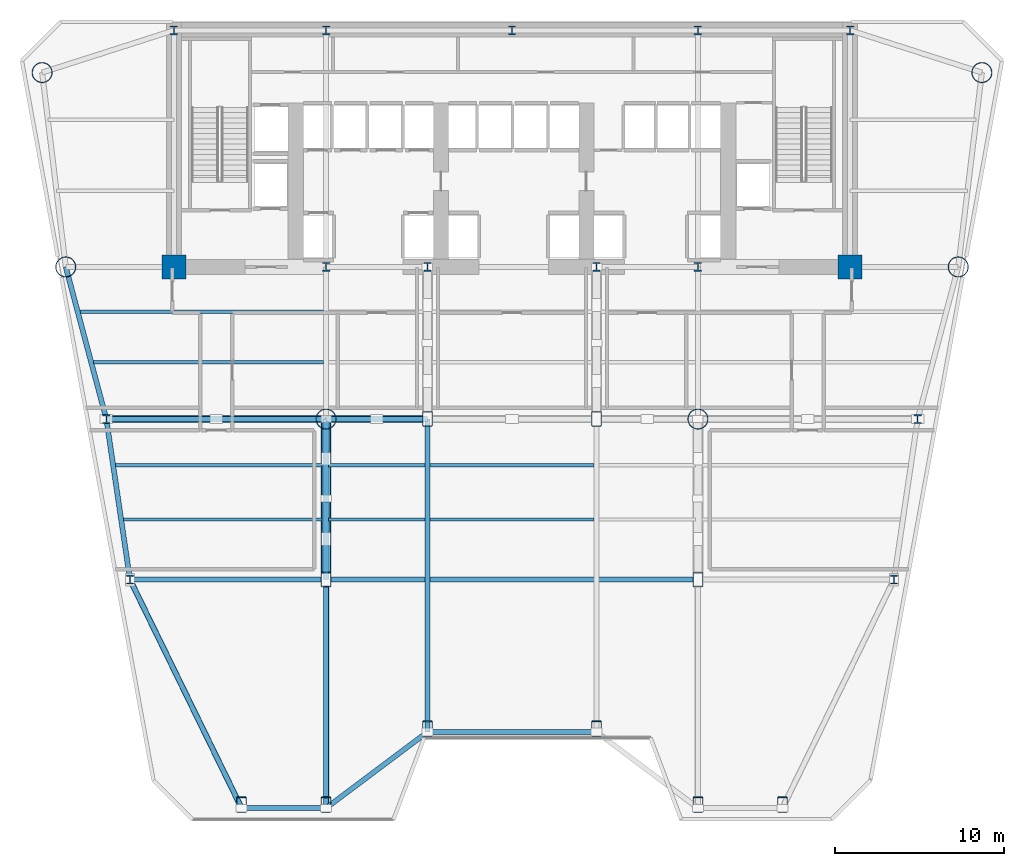
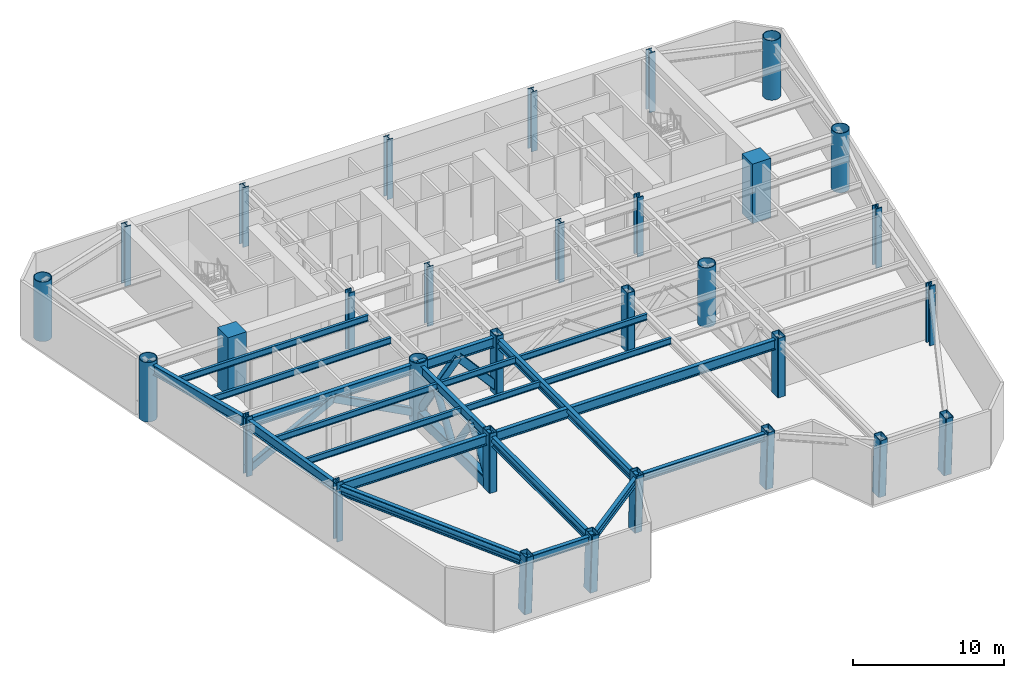
# One storey, part 1 of 10: 31 columns, 21 beams, 13 members.
"""IFC4 building model written with IfcOpenShell, lengths in metres."""

from ifc_helpers import new_model, si_unit, direction, frame, origin, origin_2d, place, context, subcontext, project, spatial, rectangle, hollow_rectangle, hollow_circle, i_section, extrude, source, transform, mapped, material, material_profile, profile_set, type_object, element, save


model = new_model("IFC4")

# Units and contexts
model_context = context("Model", 3, precision=1e-05, world=origin(), true_north=direction((0.0, 1.0)))
body_context = subcontext(model_context, "Body", "Model", "MODEL_VIEW")
ifc_project = project(units=[si_unit("LENGTHUNIT", "METRE"), si_unit("AREAUNIT", "SQUARE_METRE"), si_unit("VOLUMEUNIT", "CUBIC_METRE"), si_unit("PLANEANGLEUNIT", "RADIAN"), si_unit("MASSUNIT", "GRAM", prefix="KILO")], contexts=[model_context])

# Site, building, storey
site_placement = place(None, origin())
site = spatial("IfcSite", under=ifc_project, at=site_placement, CompositionType="ELEMENT")
building_placement = place(site_placement, origin())
building = spatial("IfcBuilding", under=site, at=building_placement, Name="Vaeldorn Concourse Tower", CompositionType="ELEMENT")
storey_placement = place(building_placement, frame((0.0, 0.0, 83.39990234375)))
storey = spatial("IfcBuildingStorey", under=building, at=storey_placement, Name="L21", CompositionType="ELEMENT", Elevation=83.39990234375)

# Columns
ifc_material_1 = material(Name="Concrete C60/75", Category="concrete")
ifc_material_profile_1 = material_profile(ifc_material_1, rectangle(XDim=1.39990234375, YDim=1.39990234375, at=origin_2d()), Name="RC 1400x1400")
ifc_profile_set_1 = profile_set([ifc_material_profile_1], Name="Concrete C60/75")
column_type_1 = type_object("IfcColumnType", Name="COL-RC1400", PredefinedType="COLUMN", material=ifc_profile_set_1)
shared_shape_1 = source(origin(), body_context, "Body", "SweptSolid", [
    extrude(rectangle(XDim=1.39990234375, YDim=1.39990234375, at=origin_2d()), origin(), (0.0, 0.0, 1.0), 4.800048828125),
])
for number, where, z_axis, x_axis, name in (
    (1, (14.0, 36.5, 0.0), (0.0, 0.0, 1.0), (1.0, 0.0, 0.0), "Column C-FC1 L21"),
    (2, (54.0, 36.5, 0.0), (0.0, 0.0, 1.0), (1.0, 0.0, 0.0), "Column C-FC6 L21"),
):
    element("IfcColumn", number, at=place(storey_placement, frame(where, z_axis=z_axis, x_axis=x_axis)), inside=storey, type_object=column_type_1, Name=name, PredefinedType="COLUMN", context=body_context, shape_type="MappedRepresentation", body=[
        mapped(shared_shape_1, transform((0.0, 0.0, 0.0), scale=1.0)),
    ])
ifc_material_2 = material(Name="Steel S460", Category="steel")
ifc_material_profile_2 = material_profile(ifc_material_2, i_section(OverallWidth=0.44189453125, OverallDepth=0.531005859375, WebThickness=0.06494140625, FlangeThickness=0.075927734375, FilletRadius=0.014892578125, at=origin_2d()), Name="HD 400x900")
ifc_profile_set_2 = profile_set([ifc_material_profile_2], Name="Steel S460")
column_type_2 = type_object("IfcColumnType", Name="COL-HD900", PredefinedType="COLUMN", material=ifc_profile_set_2)
shared_shape_2 = source(origin(), body_context, "Body", "SweptSolid", [
    extrude(i_section(OverallWidth=0.44189453125, OverallDepth=0.531005859375, WebThickness=0.06494140625, FlangeThickness=0.075927734375, FilletRadius=0.014892578125, at=origin_2d()), origin(), (0.0, 0.0, 1.0), 4.800048828125),
])
for number, where, z_axis, x_axis, name in (
    (3, (23.0, 36.5, 0.0), (0.0, 0.0, 1.0), (1.0, 0.0, 0.0), "Column C-FC2 L21"),
    (4, (29.0, 36.5, 0.0), (0.0, 0.0, 1.0), (1.0, 0.0, 0.0), "Column C-FC3 L21"),
    (5, (39.0, 36.5, 0.0), (0.0, 0.0, 1.0), (1.0, 0.0, 0.0), "Column C-FC4 L21"),
    (6, (45.0, 36.5, 0.0), (0.0, 0.0, 1.0), (1.0, 0.0, 0.0), "Column C-FC5 L21"),
    (7, (14.0, 50.5, 0.0), (0.0, 0.0, 1.0), (1.0, 0.0, 0.0), "Column C-HC1 L21"),
    (8, (23.0, 50.5, 0.0), (0.0, 0.0, 1.0), (1.0, 0.0, 0.0), "Column C-HC2 L21"),
    (9, (34.0, 50.5, 0.0), (0.0, 0.0, 1.0), (1.0, 0.0, 0.0), "Column C-HC3 L21"),
    (10, (45.0, 50.5, 0.0), (0.0, 0.0, 1.0), (1.0, 0.0, 0.0), "Column C-HC4 L21"),
    (11, (54.0, 50.5, 0.0), (0.0, 0.0, 1.0), (1.0, 0.0, 0.0), "Column C-HC5 L21"),
):
    element("IfcColumn", number, at=place(storey_placement, frame(where, z_axis=z_axis, x_axis=x_axis)), inside=storey, type_object=column_type_2, Name=name, PredefinedType="COLUMN", context=body_context, shape_type="MappedRepresentation", body=[
        mapped(shared_shape_2, transform((0.0, 0.0, 0.0), scale=1.0)),
    ])
ifc_material_profile_3 = material_profile(ifc_material_2, hollow_circle(Radius=0.609619140625, WallThickness=0.050048828125, at=origin_2d()), Name="CHS 1219x50")
ifc_profile_set_3 = profile_set([ifc_material_profile_3], Name="Steel S460")
column_type_3 = type_object("IfcColumnType", Name="COL-CHS1219", PredefinedType="COLUMN", material=ifc_profile_set_3)
shared_shape_3 = source(origin(), body_context, "Body", "SweptSolid", [
    extrude(hollow_circle(Radius=0.609619140625, WallThickness=0.050048828125, at=origin_2d()), origin(), (0.0, 0.0, 1.0), 4.800048828125),
])
for number, where, z_axis, x_axis, name in (
    (12, (6.199951171875, 48.0, 0.0), (0.0, 0.0, 1.0), (1.0, 0.0, 0.0), "Column C-NW1 L21"),
    (13, (7.60009765625, 36.5, 0.0), (0.0, 0.0, 1.0), (1.0, 0.0, 0.0), "Column C-NW2 L21"),
    (14, (61.800048828125, 48.0, 0.0), (0.0, 0.0, 1.0), (1.0, 0.0, 0.0), "Column C-NE1 L21"),
    (15, (60.39990234375, 36.5, 0.0), (0.0, 0.0, 1.0), (1.0, 0.0, 0.0), "Column C-NE2 L21"),
    (16, (23.0, 27.5, 0.0), (0.0, 0.0, 1.0), (1.0, 0.0, 0.0), "Column C-TW1 L21"),
    (17, (45.0, 27.5, 0.0), (0.0, 0.0, 1.0), (1.0, 0.0, 0.0), "Column C-TW4 L21"),
):
    element("IfcColumn", number, at=place(storey_placement, frame(where, z_axis=z_axis, x_axis=x_axis)), inside=storey, type_object=column_type_3, Name=name, PredefinedType="COLUMN", context=body_context, shape_type="MappedRepresentation", body=[
        mapped(shared_shape_3, transform((0.0, 0.0, 0.0), scale=1.0)),
    ])
ifc_material_profile_4 = material_profile(ifc_material_2, i_section(OverallWidth=0.44189453125, OverallDepth=0.531005859375, WebThickness=0.06494140625, FlangeThickness=0.075927734375, FilletRadius=0.014892578125, at=origin_2d()), Name="HD 400x900")
ifc_profile_set_4 = profile_set([ifc_material_profile_4], Name="Steel S460")
column_type_4 = type_object("IfcColumnType", Name="COL-HD900F", PredefinedType="COLUMN", material=ifc_profile_set_4)
shared_shape_4 = source(origin(), body_context, "Body", "SweptSolid", [
    extrude(i_section(OverallWidth=0.44189453125, OverallDepth=0.531005859375, WebThickness=0.06494140625, FlangeThickness=0.075927734375, FilletRadius=0.014892578125, at=origin_2d()), origin(), (0.0, 0.0, 1.0), 4.800048828125),
])
for number, where, z_axis, x_axis, name in (
    (18, (10.0, 27.5, 0.0), (0.0, 0.0, 1.0), (1.0, 0.0, 0.0), "Column C-FLW1 L21"),
    (19, (11.39990234375, 18.0, 0.0), (0.0, 0.0, 1.0), (1.0, 0.0, 0.0), "Column C-FLW2 L21"),
    (20, (58.0, 27.5, 0.0), (0.0, 0.0, 1.0), (1.0, 0.0, 0.0), "Column C-FLE1 L21"),
    (21, (56.60009765625, 18.0, 0.0), (0.0, 0.0, 1.0), (1.0, 0.0, 0.0), "Column C-FLE2 L21"),
):
    element("IfcColumn", number, at=place(storey_placement, frame(where, z_axis=z_axis, x_axis=x_axis)), inside=storey, type_object=column_type_4, Name=name, PredefinedType="COLUMN", context=body_context, shape_type="MappedRepresentation", body=[
        mapped(shared_shape_4, transform((0.0, 0.0, 0.0), scale=1.0)),
    ])
ifc_material_profile_5 = material_profile(ifc_material_2, hollow_rectangle(XDim=0.60009765625, YDim=0.89990234375, WallThickness=0.0400390625, InnerFilletRadius=0.0400390625, OuterFilletRadius=0.080078125, at=origin_2d()), Name="RHS 900x600x40")
ifc_profile_set_5 = profile_set([ifc_material_profile_5], Name="Steel S460")
column_type_5 = type_object("IfcColumnType", Name="COL-RHS900", PredefinedType="COLUMN", material=ifc_profile_set_5)
shared_shape_5 = source(origin(), body_context, "Body", "SweptSolid", [
    extrude(hollow_rectangle(XDim=0.60009765625, YDim=0.89990234375, WallThickness=0.0400390625, InnerFilletRadius=0.0400390625, OuterFilletRadius=0.080078125, at=origin_2d()), origin(), (0.0, 0.0, 1.0), 4.800048828125),
])
for number, where, z_axis, x_axis, name in (
    (22, (29.0, 27.5, 0.0), (0.0, 0.0, 1.0), (1.0, 0.0, 0.0), "Column C-TW2 L21"),
    (23, (39.0, 27.5, 0.0), (0.0, 0.0, 1.0), (1.0, 0.0, 0.0), "Column C-TW3 L21"),
    (24, (23.0, 18.0, 0.0), (0.0, 0.0, 1.0), (1.0, 0.0, 0.0), "Column C-TW5 L21"),
    (25, (45.0, 18.0, 0.0), (0.0, 0.0, 1.0), (1.0, 0.0, 0.0), "Column C-TW6 L21"),
):
    element("IfcColumn", number, at=place(storey_placement, frame(where, z_axis=z_axis, x_axis=x_axis)), inside=storey, type_object=column_type_5, Name=name, PredefinedType="COLUMN", context=body_context, shape_type="MappedRepresentation", body=[
        mapped(shared_shape_5, transform((0.0, 0.0, 0.0), scale=1.0)),
    ])
shared_shape_6 = source(origin(), body_context, "Body", "SweptSolid", [
    extrude(hollow_rectangle(XDim=0.60009765625, YDim=0.89990234375, WallThickness=0.0400390625, InnerFilletRadius=0.0400390625, OuterFilletRadius=0.080078125, at=origin_2d()), origin(), (0.0, 0.0, 1.0), 4.7421875),
])
for number, where, z_axis, x_axis, name in (
    (26, (18.0, 4.72509765625, 0.031982421875), (0.0, -0.050402375571, 0.998728992538), (1.0, 0.0, 0.0), "Column C-SF1 L21"),
    (27, (23.0, 4.72509765625, 0.031982421875), (0.0, -0.050402375571, 0.998728992538), (1.0, 0.0, 0.0), "Column C-SF2 L21"),
    (28, (29.0, 9.22509765625, 0.031982421875), (0.0, -0.050402375571, 0.998728992538), (1.0, 0.0, 0.0), "Column C-SF3 L21"),
    (29, (39.0, 9.22509765625, 0.031982421875), (0.0, -0.050402375571, 0.998728992538), (1.0, 0.0, 0.0), "Column C-SF4 L21"),
    (30, (45.0, 4.72509765625, 0.031982421875), (0.0, -0.050402375571, 0.998728992538), (1.0, 0.0, 0.0), "Column C-SF5 L21"),
    (31, (50.0, 4.72509765625, 0.031982421875), (0.0, -0.050402375571, 0.998728992538), (1.0, 0.0, 0.0), "Column C-SF6 L21"),
):
    element("IfcColumn", number, at=place(storey_placement, frame(where, z_axis=z_axis, x_axis=x_axis)), inside=storey, type_object=column_type_5, Name=name, PredefinedType="COLUMN", context=body_context, shape_type="MappedRepresentation", body=[
        mapped(shared_shape_6, transform((0.0, 0.0, 0.0), scale=1.0)),
    ])

# Beams
ifc_material_3 = material(Name="Steel S355", Category="steel")
ifc_material_profile_6 = material_profile(ifc_material_3, i_section(OverallWidth=0.300048828125, OverallDepth=0.800048828125, WebThickness=0.017578125, FlangeThickness=0.032958984375, FilletRadius=0.030029296875, at=origin_2d()), Name="HEB 800")
ifc_profile_set_6 = profile_set([ifc_material_profile_6], Name="Steel S355")
beam_type_1 = type_object("IfcBeamType", Name="BM-PG-HEB800", PredefinedType="BEAM", material=ifc_profile_set_6)
shared_shape_7 = source(origin(), body_context, "Body", "SweptSolid", [
    extrude(i_section(OverallWidth=0.300048828125, OverallDepth=0.800048828125, WebThickness=0.017578125, FlangeThickness=0.032958984375, FilletRadius=0.030029296875, at=origin_2d()), origin(), (0.0, 0.0, 1.0), 6.0),
])
beam_1_placement = place(storey_placement, frame((23.0, 27.5, 4.14013671875), z_axis=(1.0, 0.0, 0.0), x_axis=(0.0, 1.0, 0.0)))
element("IfcBeam", 32, at=beam_1_placement, inside=storey, type_object=beam_type_1, Name="Beam BM-L21-C-TW1-C-TW2", PredefinedType="BEAM", context=body_context, shape_type="MappedRepresentation", body=[
    mapped(shared_shape_7, transform((0.0, 0.0, 0.0), scale=1.0)),
])
shared_shape_8 = source(origin(), body_context, "Body", "SweptSolid", [
    extrude(i_section(OverallWidth=0.300048828125, OverallDepth=0.800048828125, WebThickness=0.017578125, FlangeThickness=0.032958984375, FilletRadius=0.030029296875, at=origin_2d()), origin(), (0.0, 0.0, 1.0), 9.314453125),
])
beam_2_placement = place(storey_placement, frame((7.60009765625, 36.5, 4.14013671875), z_axis=(0.257652862255, -0.966237549763, 0.0), x_axis=(0.966237549763, 0.257652862255, 0.0)))
element("IfcBeam", 33, at=beam_2_placement, inside=storey, type_object=beam_type_1, Name="Beam BM-L21-C-NW2-C-FLW1", PredefinedType="BEAM", context=body_context, shape_type="MappedRepresentation", body=[
    mapped(shared_shape_8, transform((0.0, 0.0, 0.0), scale=1.0)),
])
shared_shape_9 = source(origin(), body_context, "Body", "SweptSolid", [
    extrude(i_section(OverallWidth=0.300048828125, OverallDepth=0.800048828125, WebThickness=0.017578125, FlangeThickness=0.032958984375, FilletRadius=0.030029296875, at=origin_2d()), origin(), (0.0, 0.0, 1.0), 13.0),
])
beam_3_placement = place(storey_placement, frame((10.0, 27.5, 4.14013671875), z_axis=(1.0, 0.0, 0.0), x_axis=(0.0, 1.0, 0.0)))
element("IfcBeam", 34, at=beam_3_placement, inside=storey, type_object=beam_type_1, Name="Beam BM-L21-C-FLW1-C-TW1", PredefinedType="BEAM", context=body_context, shape_type="MappedRepresentation", body=[
    mapped(shared_shape_9, transform((0.0, 0.0, 0.0), scale=1.0)),
])
ifc_material_profile_7 = material_profile(ifc_material_3, i_section(OverallWidth=0.300048828125, OverallDepth=0.60009765625, WebThickness=0.015380859375, FlangeThickness=0.030029296875, FilletRadius=0.027099609375, at=origin_2d()), Name="HEB 600")
ifc_profile_set_7 = profile_set([ifc_material_profile_7], Name="Steel S355")
beam_type_2 = type_object("IfcBeamType", Name="BM-SP-HEB600", PredefinedType="SPANDREL", material=ifc_profile_set_7)
shared_shape_10 = source(origin(), body_context, "Body", "SweptSolid", [
    extrude(i_section(OverallWidth=0.300048828125, OverallDepth=0.60009765625, WebThickness=0.015380859375, FlangeThickness=0.030029296875, FilletRadius=0.027099609375, at=origin_2d()), origin(), (0.0, 0.0, 1.0), 5.0),
])
beam_4_placement = place(storey_placement, frame((18.0, 4.486083984375, 4.239990234375), z_axis=(1.0, 0.0, 0.0), x_axis=(0.0, 1.0, 0.0)))
element("IfcBeam", 35, at=beam_4_placement, inside=storey, type_object=beam_type_2, Name="Beam BM-L21-C-SF1-C-SF2", PredefinedType="SPANDREL", context=body_context, shape_type="MappedRepresentation", body=[
    mapped(shared_shape_10, transform((0.0, 0.0, 0.0), scale=1.0)),
])
shared_shape_11 = source(origin(), body_context, "Body", "SweptSolid", [
    extrude(i_section(OverallWidth=0.300048828125, OverallDepth=0.60009765625, WebThickness=0.015380859375, FlangeThickness=0.030029296875, FilletRadius=0.027099609375, at=origin_2d()), origin(), (0.0, 0.0, 1.0), 7.5),
])
beam_5_placement = place(storey_placement, frame((23.0, 4.486083984375, 4.239990234375), z_axis=(0.8, 0.6, 0.0), x_axis=(-0.6, 0.8, 0.0)))
element("IfcBeam", 36, at=beam_5_placement, inside=storey, type_object=beam_type_2, Name="Beam BM-L21-C-SF2-C-SF3", PredefinedType="SPANDREL", context=body_context, shape_type="MappedRepresentation", body=[
    mapped(shared_shape_11, transform((0.0, 0.0, 0.0), scale=1.0)),
])
shared_shape_12 = source(origin(), body_context, "Body", "SweptSolid", [
    extrude(i_section(OverallWidth=0.300048828125, OverallDepth=0.60009765625, WebThickness=0.015380859375, FlangeThickness=0.030029296875, FilletRadius=0.027099609375, at=origin_2d()), origin(), (0.0, 0.0, 1.0), 10.0),
])
beam_6_placement = place(storey_placement, frame((29.0, 8.986083984375, 4.239990234375), z_axis=(1.0, 0.0, 0.0), x_axis=(0.0, 1.0, 0.0)))
element("IfcBeam", 37, at=beam_6_placement, inside=storey, type_object=beam_type_2, Name="Beam BM-L21-C-SF3-C-SF4", PredefinedType="SPANDREL", context=body_context, shape_type="MappedRepresentation", body=[
    mapped(shared_shape_12, transform((0.0, 0.0, 0.0), scale=1.0)),
])
shared_shape_13 = source(origin(), body_context, "Body", "SweptSolid", [
    extrude(i_section(OverallWidth=0.300048828125, OverallDepth=0.800048828125, WebThickness=0.017578125, FlangeThickness=0.032958984375, FilletRadius=0.030029296875, at=origin_2d()), origin(), (0.0, 0.0, 1.0), 9.6025390625),
])
beam_7_placement = place(storey_placement, frame((10.0, 27.5, 4.14013671875), z_axis=(0.145783835977, -0.989316467652, 0.0), x_axis=(0.989316467652, 0.145783835977, 0.0)))
element("IfcBeam", 38, at=beam_7_placement, inside=storey, type_object=beam_type_1, Name="Beam BM-L21-C-FLW1-C-FLW2", PredefinedType="BEAM", context=body_context, shape_type="MappedRepresentation", body=[
    mapped(shared_shape_13, transform((0.0, 0.0, 0.0), scale=1.0)),
])
shared_shape_14 = source(origin(), body_context, "Body", "SweptSolid", [
    extrude(i_section(OverallWidth=0.300048828125, OverallDepth=0.800048828125, WebThickness=0.017578125, FlangeThickness=0.032958984375, FilletRadius=0.030029296875, at=origin_2d()), origin(), (0.0, 0.0, 1.0), 11.60009765625),
])
beam_8_placement = place(storey_placement, frame((11.39990234375, 18.0, 4.14013671875), z_axis=(1.0, 0.0, 0.0), x_axis=(0.0, 1.0, 0.0)))
element("IfcBeam", 39, at=beam_8_placement, inside=storey, type_object=beam_type_1, Name="Beam BM-L21-C-FLW2-C-TW5", PredefinedType="BEAM", context=body_context, shape_type="MappedRepresentation", body=[
    mapped(shared_shape_14, transform((0.0, 0.0, 0.0), scale=1.0)),
])
shared_shape_15 = source(origin(), body_context, "Body", "SweptSolid", [
    extrude(i_section(OverallWidth=0.300048828125, OverallDepth=0.800048828125, WebThickness=0.017578125, FlangeThickness=0.032958984375, FilletRadius=0.030029296875, at=origin_2d()), origin(), (0.0, 0.0, 1.0), 22.0),
])
beam_9_placement = place(storey_placement, frame((23.0, 18.0, 4.14013671875), z_axis=(1.0, 0.0, 0.0), x_axis=(0.0, 1.0, 0.0)))
element("IfcBeam", 40, at=beam_9_placement, inside=storey, type_object=beam_type_1, Name="Beam BM-L21-C-TW5-C-TW6", PredefinedType="BEAM", context=body_context, shape_type="MappedRepresentation", body=[
    mapped(shared_shape_15, transform((0.0, 0.0, 0.0), scale=1.0)),
])
shared_shape_16 = source(origin(), body_context, "Body", "SweptSolid", [
    extrude(i_section(OverallWidth=0.300048828125, OverallDepth=0.800048828125, WebThickness=0.017578125, FlangeThickness=0.032958984375, FilletRadius=0.030029296875, at=origin_2d()), origin(), (0.0, 0.0, 1.0), 9.5),
])
beam_10_placement = place(storey_placement, frame((23.0, 18.0, 4.14013671875), z_axis=(0.0, 1.0, 0.0), x_axis=(-1.0, 0.0, 0.0)))
element("IfcBeam", 41, at=beam_10_placement, inside=storey, type_object=beam_type_1, Name="Beam BM-L21-C-TW5-C-TW1", PredefinedType="BEAM", context=body_context, shape_type="MappedRepresentation", body=[
    mapped(shared_shape_16, transform((0.0, 0.0, 0.0), scale=1.0)),
])
ifc_material_profile_8 = material_profile(ifc_material_3, i_section(OverallWidth=0.199951171875, OverallDepth=0.5, WebThickness=0.01025390625, FlangeThickness=0.01611328125, FilletRadius=0.02099609375, at=origin_2d()), Name="IPE 500")
ifc_profile_set_8 = profile_set([ifc_material_profile_8], Name="Steel S355")
beam_type_3 = type_object("IfcBeamType", Name="BM-JS-IPE500", PredefinedType="JOIST", material=ifc_profile_set_8)
shared_shape_17 = source(origin(), body_context, "Body", "SweptSolid", [
    extrude(i_section(OverallWidth=0.199951171875, OverallDepth=0.5, WebThickness=0.01025390625, FlangeThickness=0.01611328125, FilletRadius=0.02099609375, at=origin_2d()), origin(), (0.0, 0.0, 1.0), 11.82470703125),
])
beam_11_placement = place(storey_placement, frame((11.025390625, 21.56005859375, 4.2900390625), z_axis=(1.0, 0.0, 0.0), x_axis=(0.0, 1.0, 0.0)))
element("IfcBeam", 42, at=beam_11_placement, inside=storey, type_object=beam_type_3, Name="Beam JS-L21-W1-215", PredefinedType="JOIST", context=body_context, shape_type="MappedRepresentation", body=[
    mapped(shared_shape_17, transform((0.0, 0.0, 0.0), scale=1.0)),
])
shared_shape_18 = source(origin(), body_context, "Body", "SweptSolid", [
    extrude(i_section(OverallWidth=0.199951171875, OverallDepth=0.5, WebThickness=0.01025390625, FlangeThickness=0.01611328125, FilletRadius=0.02099609375, at=origin_2d()), origin(), (0.0, 0.0, 1.0), 5.7001953125),
])
for number, where, z_axis, x_axis, name in (
    (43, (23.14990234375, 21.56005859375, 4.2900390625), (1.0, 0.0, 0.0), (0.0, 1.0, 0.0), "Beam JS-L21-W2-215"),
    (44, (23.14990234375, 24.760009765625, 4.2900390625), (1.0, 0.0, 0.0), (0.0, 1.0, 0.0), "Beam JS-L21-W2-247"),
):
    element("IfcBeam", number, at=place(storey_placement, frame(where, z_axis=z_axis, x_axis=x_axis)), inside=storey, type_object=beam_type_3, Name=name, PredefinedType="JOIST", context=body_context, shape_type="MappedRepresentation", body=[
        mapped(shared_shape_18, transform((0.0, 0.0, 0.0), scale=1.0)),
    ])
shared_shape_19 = source(origin(), body_context, "Body", "SweptSolid", [
    extrude(i_section(OverallWidth=0.199951171875, OverallDepth=0.5, WebThickness=0.01025390625, FlangeThickness=0.01611328125, FilletRadius=0.02099609375, at=origin_2d()), origin(), (0.0, 0.0, 1.0), 9.7001953125),
])
for number, where, z_axis, x_axis, name in (
    (45, (29.14990234375, 21.56005859375, 4.2900390625), (1.0, 0.0, 0.0), (0.0, 1.0, 0.0), "Beam JS-L21-C-215"),
    (46, (29.14990234375, 24.760009765625, 4.2900390625), (1.0, 0.0, 0.0), (0.0, 1.0, 0.0), "Beam JS-L21-C-247"),
):
    element("IfcBeam", number, at=place(storey_placement, frame(where, z_axis=z_axis, x_axis=x_axis)), inside=storey, type_object=beam_type_3, Name=name, PredefinedType="JOIST", context=body_context, shape_type="MappedRepresentation", body=[
        mapped(shared_shape_19, transform((0.0, 0.0, 0.0), scale=1.0)),
    ])
shared_shape_20 = source(origin(), body_context, "Body", "SweptSolid", [
    extrude(i_section(OverallWidth=0.199951171875, OverallDepth=0.5, WebThickness=0.01025390625, FlangeThickness=0.01611328125, FilletRadius=0.02099609375, at=origin_2d()), origin(), (0.0, 0.0, 1.0), 12.29638671875),
])
beam_12_placement = place(storey_placement, frame((10.5537109375, 24.760009765625, 4.2900390625), z_axis=(1.0, 0.0, 0.0), x_axis=(0.0, 1.0, 0.0)))
element("IfcBeam", 47, at=beam_12_placement, inside=storey, type_object=beam_type_3, Name="Beam JS-L21-W1-247", PredefinedType="JOIST", context=body_context, shape_type="MappedRepresentation", body=[
    mapped(shared_shape_20, transform((0.0, 0.0, 0.0), scale=1.0)),
])
shared_shape_21 = source(origin(), body_context, "Body", "SweptSolid", [
    extrude(i_section(OverallWidth=0.199951171875, OverallDepth=0.5, WebThickness=0.01025390625, FlangeThickness=0.01611328125, FilletRadius=0.02099609375, at=origin_2d()), origin(), (0.0, 0.0, 1.0), 13.59619140625),
])
beam_13_placement = place(storey_placement, frame((9.25390625, 30.860107421875, 4.2900390625), z_axis=(1.0, 0.0, 0.0), x_axis=(0.0, 1.0, 0.0)))
element("IfcBeam", 48, at=beam_13_placement, inside=storey, type_object=beam_type_3, Name="Beam JS-L21-W1-308", PredefinedType="JOIST", context=body_context, shape_type="MappedRepresentation", body=[
    mapped(shared_shape_21, transform((0.0, 0.0, 0.0), scale=1.0)),
])
shared_shape_22 = source(origin(), body_context, "Body", "SweptSolid", [
    extrude(i_section(OverallWidth=0.199951171875, OverallDepth=0.5, WebThickness=0.01025390625, FlangeThickness=0.01611328125, FilletRadius=0.02099609375, at=origin_2d()), origin(), (0.0, 0.0, 1.0), 14.39599609375),
])
beam_14_placement = place(storey_placement, frame((8.4541015625, 33.860107421875, 4.2900390625), z_axis=(1.0, 0.0, 0.0), x_axis=(0.0, 1.0, 0.0)))
element("IfcBeam", 49, at=beam_14_placement, inside=storey, type_object=beam_type_3, Name="Beam JS-L21-W1-338", PredefinedType="JOIST", context=body_context, shape_type="MappedRepresentation", body=[
    mapped(shared_shape_22, transform((0.0, 0.0, 0.0), scale=1.0)),
])
shared_shape_23 = source(origin(), body_context, "Body", "SweptSolid", [
    extrude(i_section(OverallWidth=0.300048828125, OverallDepth=0.800048828125, WebThickness=0.017578125, FlangeThickness=0.032958984375, FilletRadius=0.030029296875, at=origin_2d()), origin(), (0.0, 0.0, 1.0), 15.03955078125),
])
beam_15_placement = place(storey_placement, frame((18.0, 4.486083984375, 4.14013671875), z_axis=(-0.438850234471, 0.898560221524, 0.0), x_axis=(-0.898560221524, -0.438850234471, 0.0)))
element("IfcBeam", 50, at=beam_15_placement, inside=storey, type_object=beam_type_1, Name="Beam BM-L21-C-SF1-C-FLW2", PredefinedType="BEAM", context=body_context, shape_type="MappedRepresentation", body=[
    mapped(shared_shape_23, transform((0.0, 0.0, 0.0), scale=1.0)),
])
shared_shape_24 = source(origin(), body_context, "Body", "SweptSolid", [
    extrude(i_section(OverallWidth=0.300048828125, OverallDepth=0.800048828125, WebThickness=0.017578125, FlangeThickness=0.032958984375, FilletRadius=0.030029296875, at=origin_2d()), origin(), (0.0, 0.0, 1.0), 13.513916015625),
])
beam_16_placement = place(storey_placement, frame((23.0, 4.486083984375, 4.14013671875), z_axis=(0.0, 1.0, 0.0), x_axis=(-1.0, 0.0, 0.0)))
element("IfcBeam", 51, at=beam_16_placement, inside=storey, type_object=beam_type_1, Name="Beam BM-L21-C-SF2-C-TW5", PredefinedType="BEAM", context=body_context, shape_type="MappedRepresentation", body=[
    mapped(shared_shape_24, transform((0.0, 0.0, 0.0), scale=1.0)),
])
shared_shape_25 = source(origin(), body_context, "Body", "SweptSolid", [
    extrude(i_section(OverallWidth=0.300048828125, OverallDepth=0.800048828125, WebThickness=0.017578125, FlangeThickness=0.032958984375, FilletRadius=0.030029296875, at=origin_2d()), origin(), (0.0, 0.0, 1.0), 18.513916015625),
])
beam_17_placement = place(storey_placement, frame((29.0, 8.986083984375, 4.14013671875), z_axis=(0.0, 1.0, 0.0), x_axis=(-1.0, 0.0, 0.0)))
element("IfcBeam", 52, at=beam_17_placement, inside=storey, type_object=beam_type_1, Name="Beam BM-L21-C-SF3-C-TW2", PredefinedType="BEAM", context=body_context, shape_type="MappedRepresentation", body=[
    mapped(shared_shape_25, transform((0.0, 0.0, 0.0), scale=1.0)),
])

# Members
ifc_material_profile_9 = material_profile(ifc_material_2, hollow_rectangle(XDim=0.60009765625, YDim=0.89990234375, WallThickness=0.0400390625, InnerFilletRadius=0.0400390625, OuterFilletRadius=0.080078125, at=origin_2d()), Name="RHS 900x600x40")
ifc_profile_set_9 = profile_set([ifc_material_profile_9], Name="Steel S460")
member_type_1 = type_object("IfcMemberType", Name="MB-OT-CHORD1", PredefinedType="CHORD", material=ifc_profile_set_9)
shared_shape_26 = source(origin(), body_context, "Body", "SweptSolid", [
    extrude(hollow_rectangle(XDim=0.60009765625, YDim=0.89990234375, WallThickness=0.0400390625, InnerFilletRadius=0.0400390625, OuterFilletRadius=0.080078125, at=origin_2d()), origin(), (0.0, 0.0, 1.0), 4.699951171875),
])
member_1_placement = place(storey_placement, frame((23.0, 27.5, 0.4501953125), z_axis=(0.0, -1.0, 0.0), x_axis=(1.0, 0.0, 0.0)))
element("IfcMember", 53, at=member_1_placement, inside=storey, type_object=member_type_1, Name="Outrigger Bottom Chord L21 OT1.1", PredefinedType="CHORD", context=body_context, shape_type="MappedRepresentation", body=[
    mapped(shared_shape_26, transform((0.0, 0.0, 0.0), scale=1.0)),
])
ifc_material_profile_10 = material_profile(ifc_material_2, hollow_circle(Radius=0.25390625, WallThickness=0.02490234375, at=origin_2d()), Name="CHS 508x25")
ifc_profile_set_10 = profile_set([ifc_material_profile_10], Name="Steel S460")
member_type_2 = type_object("IfcMemberType", Name="MB-OT-DIAG1", PredefinedType="BRACE", material=ifc_profile_set_10)
shared_shape_27 = source(origin(), body_context, "Body", "SweptSolid", [
    extrude(hollow_circle(Radius=0.25390625, WallThickness=0.02490234375, at=origin_2d()), origin(), (0.0, 0.0, 1.0), 4.166015625),
])
for number, where, z_axis, x_axis, name in (
    (54, (23.0, 27.5, 0.4501953125), (0.0, -0.564103947014, 0.82570378282), (1.0, 0.0, 0.0), "Outrigger Truss Diagonal L21 OT1.1A"),
    (55, (23.0, 22.800048828125, 0.4501953125), (0.0, 0.564063990889, 0.82573107861), (-1.0, 0.0, 0.0), "Outrigger Truss Diagonal L21 OT1.1B"),
):
    element("IfcMember", number, at=place(storey_placement, frame(where, z_axis=z_axis, x_axis=x_axis)), inside=storey, type_object=member_type_2, Name=name, PredefinedType="BRACE", context=body_context, shape_type="MappedRepresentation", body=[
        mapped(shared_shape_27, transform((0.0, 0.0, 0.0), scale=1.0)),
    ])
shared_shape_28 = source(origin(), body_context, "Body", "SweptSolid", [
    extrude(hollow_rectangle(XDim=0.60009765625, YDim=0.89990234375, WallThickness=0.0400390625, InnerFilletRadius=0.0400390625, OuterFilletRadius=0.080078125, at=origin_2d()), origin(), (0.0, 0.0, 1.0), 4.800048828125),
])
member_2_placement = place(storey_placement, frame((23.0, 22.800048828125, 0.4501953125), z_axis=(0.0, -1.0, 0.0), x_axis=(1.0, 0.0, 0.0)))
element("IfcMember", 56, at=member_2_placement, inside=storey, type_object=member_type_1, Name="Outrigger Bottom Chord L21 OT1.2", PredefinedType="CHORD", context=body_context, shape_type="MappedRepresentation", body=[
    mapped(shared_shape_28, transform((0.0, 0.0, 0.0), scale=1.0)),
])
shared_shape_29 = source(origin(), body_context, "Body", "SweptSolid", [
    extrude(hollow_circle(Radius=0.25390625, WallThickness=0.02490234375, at=origin_2d()), origin(), (0.0, 0.0, 1.0), 4.194580078125),
])
member_3_placement = place(storey_placement, frame((23.0, 22.800048828125, 0.4501953125), z_axis=(0.0, -0.572211640255, 0.820105992391), x_axis=(1.0, 0.0, 0.0)))
element("IfcMember", 57, at=member_3_placement, inside=storey, type_object=member_type_2, Name="Outrigger Truss Diagonal L21 OT1.2A", PredefinedType="BRACE", context=body_context, shape_type="MappedRepresentation", body=[
    mapped(shared_shape_29, transform((0.0, 0.0, 0.0), scale=1.0)),
])
shared_shape_30 = source(origin(), body_context, "Body", "SweptSolid", [
    extrude(hollow_circle(Radius=0.25390625, WallThickness=0.02490234375, at=origin_2d()), origin(), (0.0, 0.0, 1.0), 4.1943359375),
])
member_4_placement = place(storey_placement, frame((23.0, 18.0, 0.4501953125), z_axis=(0.0, 0.572172491257, 0.820133306389), x_axis=(-1.0, 0.0, 0.0)))
element("IfcMember", 58, at=member_4_placement, inside=storey, type_object=member_type_2, Name="Outrigger Truss Diagonal L21 OT1.2B", PredefinedType="BRACE", context=body_context, shape_type="MappedRepresentation", body=[
    mapped(shared_shape_30, transform((0.0, 0.0, 0.0), scale=1.0)),
])
ifc_material_profile_11 = material_profile(ifc_material_2, hollow_rectangle(XDim=0.39990234375, YDim=0.60009765625, WallThickness=0.030029296875, InnerFilletRadius=0.030029296875, OuterFilletRadius=0.06005859375, at=origin_2d()), Name="RHS 600x400x30")
ifc_profile_set_11 = profile_set([ifc_material_profile_11], Name="Steel S460")
member_type_3 = type_object("IfcMemberType", Name="MB-BT-BRACE1", PredefinedType="BRACE", material=ifc_profile_set_11)
shared_shape_31 = source(origin(), body_context, "Body", "SweptSolid", [
    extrude(hollow_rectangle(XDim=0.39990234375, YDim=0.60009765625, WallThickness=0.030029296875, InnerFilletRadius=0.030029296875, OuterFilletRadius=0.06005859375, at=origin_2d()), origin(), (0.0, 0.0, 1.0), 7.354248046875),
])
for number, where, z_axis, x_axis, name in (
    (59, (10.0, 27.5, 0.4501953125), (0.883857352752, 0.0, 0.467756539223), (0.0, 1.0, 0.0), "Belt Truss Chevron Brace L21-1A"),
    (60, (23.0, 27.5, 0.4501953125), (-0.883857352752, 0.0, 0.467756539223), (0.0, -1.0, 0.0), "Belt Truss Chevron Brace L21-1B"),
):
    element("IfcMember", number, at=place(storey_placement, frame(where, z_axis=z_axis, x_axis=x_axis)), inside=storey, type_object=member_type_3, Name=name, PredefinedType="BRACE", context=body_context, shape_type="MappedRepresentation", body=[
        mapped(shared_shape_31, transform((0.0, 0.0, 0.0), scale=1.0)),
    ])
shared_shape_32 = source(origin(), body_context, "Body", "SweptSolid", [
    extrude(hollow_rectangle(XDim=0.39990234375, YDim=0.60009765625, WallThickness=0.030029296875, InnerFilletRadius=0.030029296875, OuterFilletRadius=0.06005859375, at=origin_2d()), origin(), (0.0, 0.0, 1.0), 4.564453125),
])
for number, where, z_axis, x_axis, name in (
    (61, (23.0, 27.5, 0.4501953125), (0.657269221512, 0.0, 0.753655870045), (0.0, 1.0, 0.0), "Belt Truss Chevron Brace L21-2A"),
    (62, (29.0, 27.5, 0.4501953125), (-0.657269221512, 0.0, 0.753655870045), (0.0, -1.0, 0.0), "Belt Truss Chevron Brace L21-2B"),
):
    element("IfcMember", number, at=place(storey_placement, frame(where, z_axis=z_axis, x_axis=x_axis)), inside=storey, type_object=member_type_3, Name=name, PredefinedType="BRACE", context=body_context, shape_type="MappedRepresentation", body=[
        mapped(shared_shape_32, transform((0.0, 0.0, 0.0), scale=1.0)),
    ])
ifc_material_profile_12 = material_profile(ifc_material_2, hollow_circle(Radius=0.161865234375, WallThickness=0.01611328125, at=origin_2d()), Name="CHS 323.9x16")
ifc_profile_set_12 = profile_set([ifc_material_profile_12], Name="Steel S460")
member_type_4 = type_object("IfcMemberType", Name="MB-KINK-STRUT", PredefinedType="STRUT", material=ifc_profile_set_12)
shared_shape_33 = source(origin(), body_context, "Body", "SweptSolid", [
    extrude(hollow_circle(Radius=0.161865234375, WallThickness=0.01611328125, at=origin_2d()), origin(), (0.0, 0.0, 1.0), 15.03955078125),
])
member_5_placement = place(storey_placement, frame((18.0, 4.486083984375, 4.190185546875), z_axis=(-0.438850234471, 0.898560221524, 0.0), x_axis=(-0.898560221524, -0.438850234471, 0.0)))
element("IfcMember", 63, at=member_5_placement, inside=storey, type_object=member_type_4, Name="Accordion Pleat Kink Tie Strut L21-1", PredefinedType="STRUT", context=body_context, shape_type="MappedRepresentation", body=[
    mapped(shared_shape_33, transform((0.0, 0.0, 0.0), scale=1.0)),
])
shared_shape_34 = source(origin(), body_context, "Body", "SweptSolid", [
    extrude(hollow_circle(Radius=0.161865234375, WallThickness=0.01611328125, at=origin_2d()), origin(), (0.0, 0.0, 1.0), 13.513916015625),
])
member_6_placement = place(storey_placement, frame((23.0, 4.486083984375, 4.190185546875), z_axis=(0.0, 1.0, 0.0), x_axis=(-1.0, 0.0, 0.0)))
element("IfcMember", 64, at=member_6_placement, inside=storey, type_object=member_type_4, Name="Accordion Pleat Kink Tie Strut L21-2", PredefinedType="STRUT", context=body_context, shape_type="MappedRepresentation", body=[
    mapped(shared_shape_34, transform((0.0, 0.0, 0.0), scale=1.0)),
])
shared_shape_35 = source(origin(), body_context, "Body", "SweptSolid", [
    extrude(hollow_circle(Radius=0.161865234375, WallThickness=0.01611328125, at=origin_2d()), origin(), (0.0, 0.0, 1.0), 18.513916015625),
])
member_7_placement = place(storey_placement, frame((29.0, 8.986083984375, 4.190185546875), z_axis=(0.0, 1.0, 0.0), x_axis=(-1.0, 0.0, 0.0)))
element("IfcMember", 65, at=member_7_placement, inside=storey, type_object=member_type_4, Name="Accordion Pleat Kink Tie Strut L21-3", PredefinedType="STRUT", context=body_context, shape_type="MappedRepresentation", body=[
    mapped(shared_shape_35, transform((0.0, 0.0, 0.0), scale=1.0)),
])

save(model, "model.ifc")
